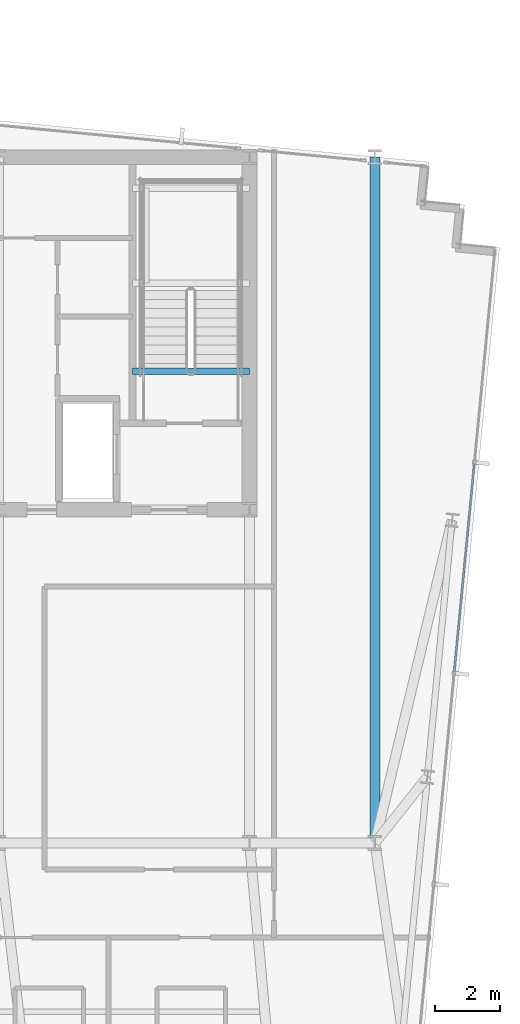
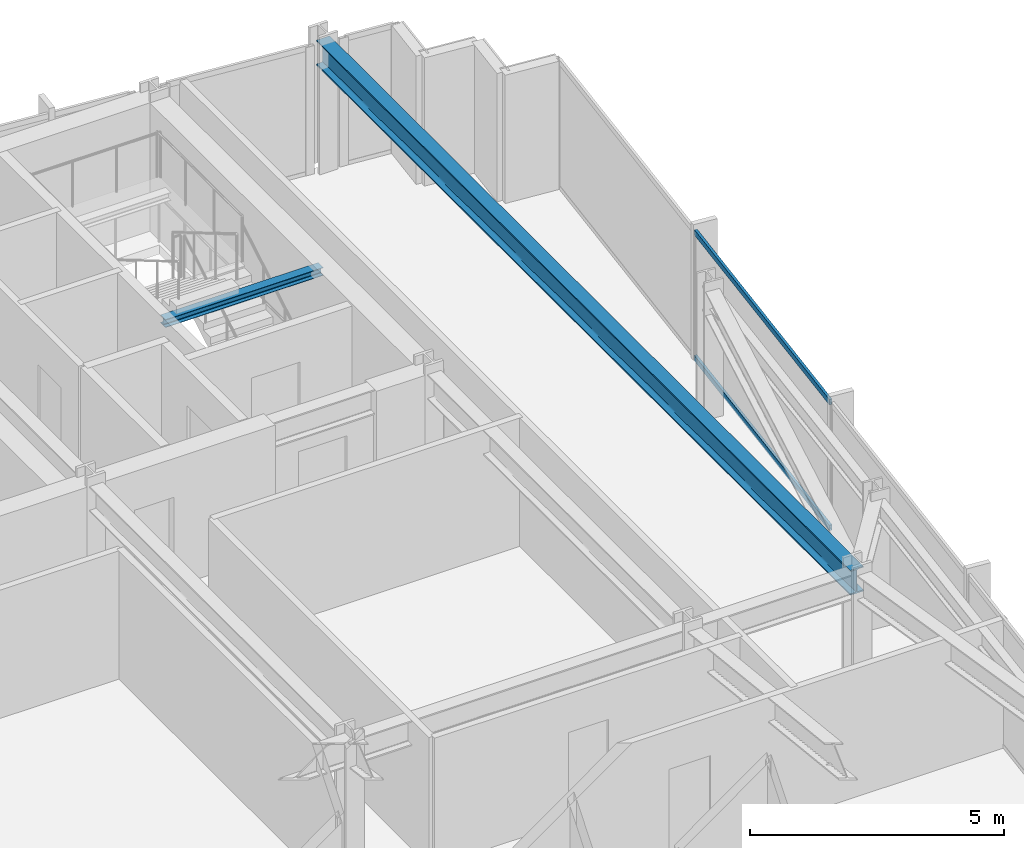
# One storey, part 19 of 37: 2 beams, 2 members, 1 element without a shape of its own.
"""IFC4 building model written with IfcOpenShell, lengths in metres."""

from ifc_helpers import new_model, si_unit, direction, frame, origin, origin_2d, place, context, subcontext, project, spatial, hollow_rectangle, i_section, extrude, material, material_profile, profile_set, type_object, element, aggregate, save


model = new_model("IFC4")

# Units and contexts
model_context = context("Model", 3, precision=1e-05, world=origin(), true_north=direction((0.0, 1.0)))
body_context = subcontext(model_context, "Body", "Model", "MODEL_VIEW")
ifc_project = project(units=[si_unit("LENGTHUNIT", "METRE"), si_unit("AREAUNIT", "SQUARE_METRE"), si_unit("VOLUMEUNIT", "CUBIC_METRE"), si_unit("PLANEANGLEUNIT", "RADIAN"), si_unit("MASSUNIT", "GRAM", prefix="KILO")], contexts=[model_context])

# Site, building, storey
site_placement = place(None, origin())
site = spatial("IfcSite", under=ifc_project, at=site_placement, CompositionType="ELEMENT")
building_placement = place(site_placement, origin())
building = spatial("IfcBuilding", under=site, at=building_placement, Name="Yelkora Congress Tower", CompositionType="ELEMENT")
storey_placement = place(building_placement, frame((0.0, 0.0, 165.5)))
storey = spatial("IfcBuildingStorey", under=building, at=storey_placement, Name="L45", CompositionType="ELEMENT", Elevation=165.5)

# Beams
ifc_material_1 = material(Name="Steel S355J2", Category="steel")
ifc_material_profile_1 = material_profile(ifc_material_1, i_section(OverallWidth=0.300048828125, OverallDepth=0.60009765625, WebThickness=0.015380859375, FlangeThickness=0.030029296875, FilletRadius=0.027099609375, at=origin_2d()), Name="HEB 600")
ifc_profile_set_1 = profile_set([ifc_material_profile_1], Name="Steel S355J2")
beam_type_1 = type_object("IfcBeamType", Name="BM-GIRD-HEB600", PredefinedType="BEAM", material=ifc_profile_set_1)
beam_1_placement = place(storey_placement, frame((57.60009765625, 25.199951171875, 2.780029296875), z_axis=(0.0, 1.0, 0.0), x_axis=(-1.0, 0.0, 0.0)))
element("IfcBeam", 1, at=beam_1_placement, inside=storey, type_object=beam_type_1, Name="L45 Neck Flank Girder MC-F2", PredefinedType="BEAM", context=body_context, shape_type="SweptSolid", body=[
    extrude(i_section(OverallWidth=0.300048828125, OverallDepth=0.60009765625, WebThickness=0.015380859375, FlangeThickness=0.030029296875, FilletRadius=0.027099609375, at=origin_2d()), origin(), (0.0, 0.0, 1.0), 21.0),
])
ifc_material_profile_2 = material_profile(ifc_material_1, i_section(OverallWidth=0.199951171875, OverallDepth=0.18994140625, WebThickness=0.006591796875, FlangeThickness=0.010009765625, FilletRadius=0.01806640625, at=origin_2d()), Name="HEA 200")
ifc_profile_set_2 = profile_set([ifc_material_profile_2], Name="Steel S355J2")
beam_type_2 = type_object("IfcBeamType", Name="BM-LAND-HEA200", PredefinedType="BEAM", material=ifc_profile_set_2)
beam_2_placement = place(storey_placement, frame((50.179931640625, 39.639892578125, 2.85400390625), z_axis=(1.0, 0.0, 0.0), x_axis=(0.0, 1.0, 0.0)))
element("IfcBeam", 2, at=beam_2_placement, inside=storey, type_object=beam_type_2, Name="ST-02 L45 Floor Arrival Stringer Header Beam", PredefinedType="BEAM", context=body_context, shape_type="SweptSolid", body=[
    extrude(i_section(OverallWidth=0.199951171875, OverallDepth=0.18994140625, WebThickness=0.006591796875, FlangeThickness=0.010009765625, FilletRadius=0.01806640625, at=origin_2d()), origin(), (0.0, 0.0, 1.0), 3.580078125),
])

# Curtain wall, members
ifc_material_2 = material(Name="Anodised aluminium and insulated glass", Category="aluminium")
curtain_wall_type = type_object("IfcCurtainWallType", Name="CW-SYS-B3", PredefinedType="NOTDEFINED", material=ifc_material_2)
curtain_wall_placement = place(storey_placement, origin())
curtain_wall = element("IfcCurtainWall", 3, at=curtain_wall_placement, inside=storey, type_object=curtain_wall_type, Name="L45 Unitised Curtain Wall 15", PredefinedType="NOTDEFINED")
ifc_material_3 = material(Name="Anodised aluminium 6063-T6", Category="aluminium")
ifc_material_profile_3 = material_profile(ifc_material_3, hollow_rectangle(XDim=0.06005859375, YDim=0.1298828125, WallThickness=0.00390625, at=origin_2d()), Name="ALU 60x130x4")
ifc_profile_set_3 = profile_set([ifc_material_profile_3], Name="Anodised aluminium 6063-T6")
member_type = type_object("IfcMemberType", Name="MEM-TR-B3", PredefinedType="USERDEFINED", material=ifc_profile_set_3)
member_1_placement = place(storey_placement, frame((60.642822265625, 36.81494140625, 0.030029296875), z_axis=(-0.095843682057, -0.995396397728, 0.0), x_axis=(0.995396397728, -0.095843682057, 0.0)))
member_1 = element("IfcMember", 4, at=member_1_placement, type_object=member_type, Name="CW-B3 transom 2.1", ObjectType="TRANSOM", PredefinedType="USERDEFINED", context=body_context, shape_type="SweptSolid", body=[
    extrude(hollow_rectangle(XDim=0.06005859375, YDim=0.1298828125, WallThickness=0.00390625, at=origin_2d()), origin(), (0.0, 0.0, 1.0), 6.4140625),
])
member_2_placement = place(storey_placement, frame((60.642822265625, 36.81494140625, 3.050048828125), z_axis=(-0.095843682057, -0.995396397728, 0.0), x_axis=(0.995396397728, -0.095843682057, 0.0)))
member_2 = element("IfcMember", 5, at=member_2_placement, type_object=member_type, Name="CW-B3 transom 2.2", ObjectType="TRANSOM", PredefinedType="USERDEFINED", context=body_context, shape_type="SweptSolid", body=[
    extrude(hollow_rectangle(XDim=0.06005859375, YDim=0.1298828125, WallThickness=0.00390625, at=origin_2d()), origin(), (0.0, 0.0, 1.0), 6.4140625),
])
aggregate(curtain_wall, [member_1, member_2])

save(model, "model.ifc")
